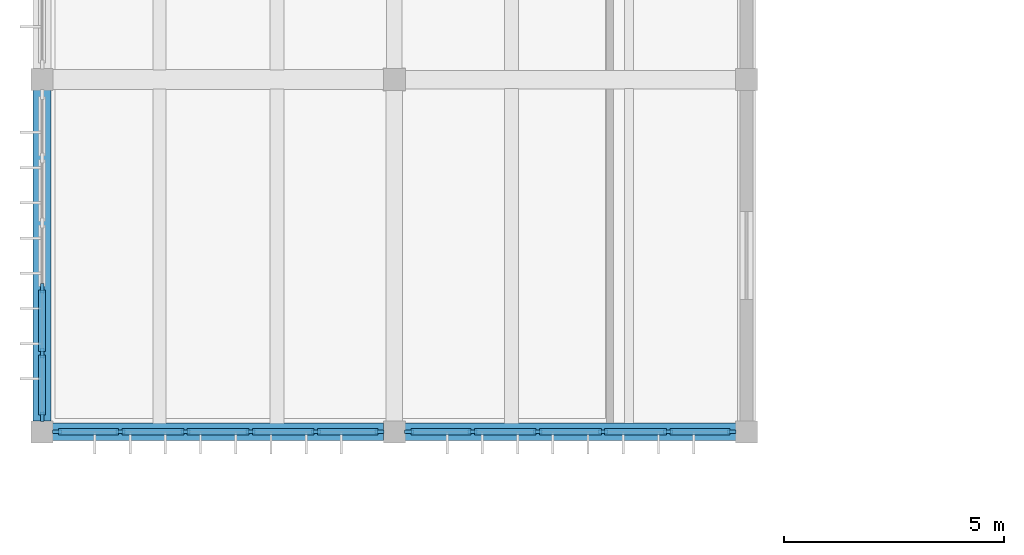
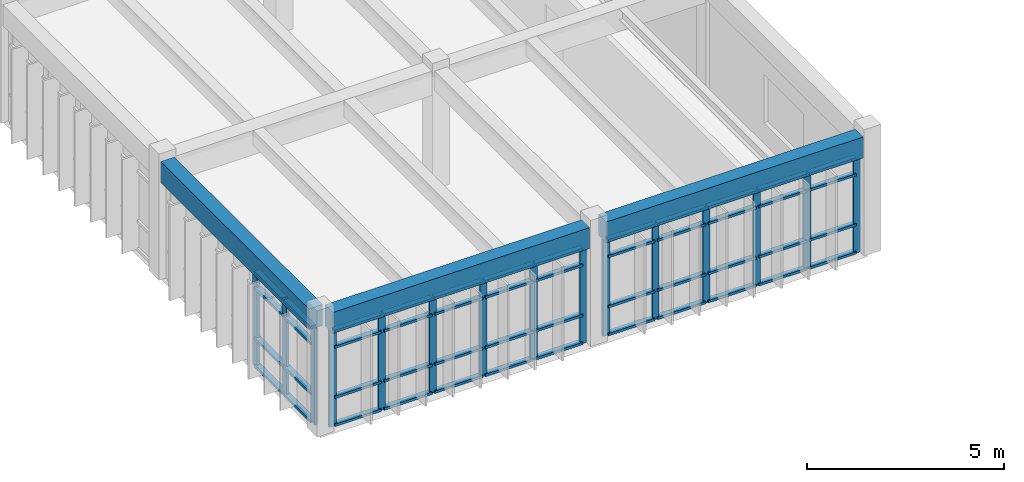
# One storey, part 2 of 22: 63 members, 3 beams, 3 elements without a shape of their own.
"""IFC4 building model written with IfcOpenShell, lengths in metres."""

from ifc_helpers import new_model, si_unit, direction, frame, origin, origin_2d, place, context, subcontext, project, spatial, rectangle, extrude, material, material_profile, profile_set, type_object, element, aggregate, save


model = new_model("IFC4")

# Units and contexts
model_context = context("Model", 3, precision=1e-05, world=origin(), true_north=direction((0.0, 1.0)))
body_context = subcontext(model_context, "Body", "Model", "MODEL_VIEW")
ifc_project = project(units=[si_unit("LENGTHUNIT", "METRE"), si_unit("AREAUNIT", "SQUARE_METRE"), si_unit("VOLUMEUNIT", "CUBIC_METRE"), si_unit("PLANEANGLEUNIT", "RADIAN"), si_unit("MASSUNIT", "GRAM", prefix="KILO")], contexts=[model_context])

# Site, building, storey
site_placement = place(None, origin())
site = spatial("IfcSite", under=ifc_project, at=site_placement, CompositionType="ELEMENT")
building_placement = place(site_placement, origin())
building = spatial("IfcBuilding", under=site, at=building_placement, Name="Tlaxcora Railside Police Headquarters", CompositionType="ELEMENT")
storey_placement = place(building_placement, frame((0.0, 0.0, 21.89990234375)))
storey = spatial("IfcBuildingStorey", under=building, at=storey_placement, Name="L05", CompositionType="ELEMENT", Elevation=21.89990234375)

# Curtain wall, members
ifc_material_1 = material(Name="Thermally broken low-E insulated glazing", Category="glass")
curtain_wall_type_1 = type_object("IfcCurtainWallType", Name="Unitised Curtain Wall Assembly CW-23", PredefinedType="NOTDEFINED", material=ifc_material_1)
curtain_wall_1_placement = place(storey_placement, origin())
curtain_wall_1 = element("IfcCurtainWall", 1, at=curtain_wall_1_placement, inside=storey, type_object=curtain_wall_type_1, Name="V5 L05 curtain wall 120", PredefinedType="NOTDEFINED")
ifc_material_2 = material(Name="Anodised aluminium framing", Category="aluminium")
ifc_material_profile_1 = material_profile(ifc_material_2, rectangle(XDim=0.080078125, YDim=0.219970703125, at=origin_2d()), Name="AL80X220")
ifc_profile_set_1 = profile_set([ifc_material_profile_1], Name="Anodised aluminium framing")
member_type_1 = type_object("IfcMemberType", Name="Curtain Wall Mullion CW-31", PredefinedType="MULLION", material=ifc_profile_set_1)
member_1_placement = place(storey_placement, frame((5.199951171875, 64.06005859375, 0.0), z_axis=(0.0, 0.0, 1.0), x_axis=(1.0, 0.0, 0.0)))
member_1 = element("IfcMember", 2, at=member_1_placement, type_object=member_type_1, Name="CW mullion 4", PredefinedType="MULLION", context=body_context, shape_type="SweptSolid", body=[
    extrude(rectangle(XDim=0.080078125, YDim=0.219970703125, at=origin_2d()), origin(), (0.0, 0.0, 1.0), 2.97998046875),
])
member_2_placement = place(storey_placement, frame((5.199951171875, 62.580078125, 0.0), z_axis=(0.0, 0.0, 1.0), x_axis=(1.0, 0.0, 0.0)))
member_2 = element("IfcMember", 3, at=member_2_placement, type_object=member_type_1, Name="CW mullion 5", PredefinedType="MULLION", context=body_context, shape_type="SweptSolid", body=[
    extrude(rectangle(XDim=0.080078125, YDim=0.219970703125, at=origin_2d()), origin(), (0.0, 0.0, 1.0), 2.97998046875),
])
member_3_placement = place(storey_placement, frame((5.199951171875, 61.139892578125, 0.0), z_axis=(0.0, 0.0, 1.0), x_axis=(1.0, 0.0, 0.0)))
member_3 = element("IfcMember", 4, at=member_3_placement, type_object=member_type_1, Name="CW mullion 6", PredefinedType="MULLION", context=body_context, shape_type="SweptSolid", body=[
    extrude(rectangle(XDim=0.080078125, YDim=0.219970703125, at=origin_2d()), origin(), (0.0, 0.0, 1.0), 2.97998046875),
])

curtain_wall_type_2 = type_object("IfcCurtainWallType", Name="Unitised Curtain Wall Assembly CW-38", PredefinedType="NOTDEFINED", material=ifc_material_1)
curtain_wall_2_placement = place(storey_placement, origin())
curtain_wall_2 = element("IfcCurtainWall", 5, at=curtain_wall_2_placement, inside=storey, type_object=curtain_wall_type_2, Name="V5 L05 curtain wall 105", PredefinedType="NOTDEFINED")
ifc_material_profile_2 = material_profile(ifc_material_2, rectangle(XDim=0.074951171875, YDim=0.205078125, at=origin_2d()), Name="AL75X205")
ifc_profile_set_2 = profile_set([ifc_material_profile_2], Name="Anodised aluminium framing")
member_type_2 = type_object("IfcMemberType", Name="Curtain Wall Mullion CW-32", PredefinedType="MULLION", material=ifc_profile_set_2)
member_4_placement = place(storey_placement, frame((5.53759765625, 60.800048828125, 0.0), z_axis=(0.0, 0.0, 1.0), x_axis=(0.0, 1.0, 0.0)))
member_4 = element("IfcMember", 6, at=member_4_placement, type_object=member_type_2, Name="CW mullion 1", PredefinedType="MULLION", context=body_context, shape_type="SweptSolid", body=[
    extrude(rectangle(XDim=0.074951171875, YDim=0.205078125, at=origin_2d()), origin(), (0.0, 0.0, 1.0), 2.97998046875),
])
member_5_placement = place(storey_placement, frame((6.97998046875, 60.800048828125, 0.0), z_axis=(0.0, 0.0, 1.0), x_axis=(0.0, 1.0, 0.0)))
member_5 = element("IfcMember", 7, at=member_5_placement, type_object=member_type_2, Name="CW mullion 2", PredefinedType="MULLION", context=body_context, shape_type="SweptSolid", body=[
    extrude(rectangle(XDim=0.074951171875, YDim=0.205078125, at=origin_2d()), origin(), (0.0, 0.0, 1.0), 2.97998046875),
])
member_6_placement = place(storey_placement, frame((8.4599609375, 60.800048828125, 0.0), z_axis=(0.0, 0.0, 1.0), x_axis=(0.0, 1.0, 0.0)))
member_6 = element("IfcMember", 8, at=member_6_placement, type_object=member_type_2, Name="CW mullion 3", PredefinedType="MULLION", context=body_context, shape_type="SweptSolid", body=[
    extrude(rectangle(XDim=0.074951171875, YDim=0.205078125, at=origin_2d()), origin(), (0.0, 0.0, 1.0), 2.97998046875),
])
member_7_placement = place(storey_placement, frame((9.93994140625, 60.800048828125, 0.0), z_axis=(0.0, 0.0, 1.0), x_axis=(0.0, 1.0, 0.0)))
member_7 = element("IfcMember", 9, at=member_7_placement, type_object=member_type_2, Name="CW mullion 4", PredefinedType="MULLION", context=body_context, shape_type="SweptSolid", body=[
    extrude(rectangle(XDim=0.074951171875, YDim=0.205078125, at=origin_2d()), origin(), (0.0, 0.0, 1.0), 2.97998046875),
])
member_8_placement = place(storey_placement, frame((11.419921875, 60.800048828125, 0.0), z_axis=(0.0, 0.0, 1.0), x_axis=(0.0, 1.0, 0.0)))
member_8 = element("IfcMember", 10, at=member_8_placement, type_object=member_type_2, Name="CW mullion 5", PredefinedType="MULLION", context=body_context, shape_type="SweptSolid", body=[
    extrude(rectangle(XDim=0.074951171875, YDim=0.205078125, at=origin_2d()), origin(), (0.0, 0.0, 1.0), 2.97998046875),
])
member_9_placement = place(storey_placement, frame((12.862548828125, 60.800048828125, 0.0), z_axis=(0.0, 0.0, 1.0), x_axis=(0.0, 1.0, 0.0)))
member_9 = element("IfcMember", 11, at=member_9_placement, type_object=member_type_2, Name="CW mullion 6", PredefinedType="MULLION", context=body_context, shape_type="SweptSolid", body=[
    extrude(rectangle(XDim=0.074951171875, YDim=0.205078125, at=origin_2d()), origin(), (0.0, 0.0, 1.0), 2.97998046875),
])

curtain_wall_type_3 = type_object("IfcCurtainWallType", Name="Unitised Curtain Wall Assembly CW-15", PredefinedType="NOTDEFINED", material=ifc_material_1)
curtain_wall_3_placement = place(storey_placement, origin())
curtain_wall_3 = element("IfcCurtainWall", 12, at=curtain_wall_3_placement, inside=storey, type_object=curtain_wall_type_3, Name="V5 L05 curtain wall 106", PredefinedType="NOTDEFINED")
ifc_material_profile_3 = material_profile(ifc_material_2, rectangle(XDim=0.074951171875, YDim=0.199951171875, at=origin_2d()), Name="AL75X200")
ifc_profile_set_3 = profile_set([ifc_material_profile_3], Name="Anodised aluminium framing")
member_type_3 = type_object("IfcMemberType", Name="Curtain Wall Mullion CW-58", PredefinedType="MULLION", material=ifc_profile_set_3)
member_10_placement = place(storey_placement, frame((13.53759765625, 60.800048828125, 0.0), z_axis=(0.0, 0.0, 1.0), x_axis=(0.0, 1.0, 0.0)))
member_10 = element("IfcMember", 13, at=member_10_placement, type_object=member_type_3, Name="CW mullion 1", PredefinedType="MULLION", context=body_context, shape_type="SweptSolid", body=[
    extrude(rectangle(XDim=0.074951171875, YDim=0.199951171875, at=origin_2d()), origin(), (0.0, 0.0, 1.0), 2.97998046875),
])
member_11_placement = place(storey_placement, frame((14.97998046875, 60.800048828125, 0.0), z_axis=(0.0, 0.0, 1.0), x_axis=(0.0, 1.0, 0.0)))
member_11 = element("IfcMember", 14, at=member_11_placement, type_object=member_type_3, Name="CW mullion 2", PredefinedType="MULLION", context=body_context, shape_type="SweptSolid", body=[
    extrude(rectangle(XDim=0.074951171875, YDim=0.199951171875, at=origin_2d()), origin(), (0.0, 0.0, 1.0), 2.97998046875),
])
member_12_placement = place(storey_placement, frame((16.4599609375, 60.800048828125, 0.0), z_axis=(0.0, 0.0, 1.0), x_axis=(0.0, 1.0, 0.0)))
member_12 = element("IfcMember", 15, at=member_12_placement, type_object=member_type_3, Name="CW mullion 3", PredefinedType="MULLION", context=body_context, shape_type="SweptSolid", body=[
    extrude(rectangle(XDim=0.074951171875, YDim=0.199951171875, at=origin_2d()), origin(), (0.0, 0.0, 1.0), 2.97998046875),
])
member_13_placement = place(storey_placement, frame((17.93994140625, 60.800048828125, 0.0), z_axis=(0.0, 0.0, 1.0), x_axis=(0.0, 1.0, 0.0)))
member_13 = element("IfcMember", 16, at=member_13_placement, type_object=member_type_3, Name="CW mullion 4", PredefinedType="MULLION", context=body_context, shape_type="SweptSolid", body=[
    extrude(rectangle(XDim=0.074951171875, YDim=0.199951171875, at=origin_2d()), origin(), (0.0, 0.0, 1.0), 2.97998046875),
])
member_14_placement = place(storey_placement, frame((19.419921875, 60.800048828125, 0.0), z_axis=(0.0, 0.0, 1.0), x_axis=(0.0, 1.0, 0.0)))
member_14 = element("IfcMember", 17, at=member_14_placement, type_object=member_type_3, Name="CW mullion 5", PredefinedType="MULLION", context=body_context, shape_type="SweptSolid", body=[
    extrude(rectangle(XDim=0.074951171875, YDim=0.199951171875, at=origin_2d()), origin(), (0.0, 0.0, 1.0), 2.97998046875),
])
member_15_placement = place(storey_placement, frame((20.862548828125, 60.800048828125, 0.0), z_axis=(0.0, 0.0, 1.0), x_axis=(0.0, 1.0, 0.0)))
member_15 = element("IfcMember", 18, at=member_15_placement, type_object=member_type_3, Name="CW mullion 6", PredefinedType="MULLION", context=body_context, shape_type="SweptSolid", body=[
    extrude(rectangle(XDim=0.074951171875, YDim=0.199951171875, at=origin_2d()), origin(), (0.0, 0.0, 1.0), 2.97998046875),
])
ifc_material_profile_4 = material_profile(ifc_material_2, rectangle(XDim=0.14990234375, YDim=0.074951171875, at=origin_2d()), Name="AL75X150")
ifc_profile_set_4 = profile_set([ifc_material_profile_4], Name="Anodised aluminium framing")
member_type_4 = type_object("IfcMemberType", Name="Curtain Wall Transom CW-28", PredefinedType="USERDEFINED", material=ifc_profile_set_4)
member_16_placement = place(storey_placement, frame((13.574951171875, 60.800048828125, 0.03759765625), z_axis=(1.0, 0.0, 0.0), x_axis=(0.0, 1.0, 0.0)))
member_16 = element("IfcMember", 19, at=member_16_placement, type_object=member_type_4, Name="CW transom 1.1", ObjectType="TRANSOM", PredefinedType="USERDEFINED", context=body_context, shape_type="SweptSolid", body=[
    extrude(rectangle(XDim=0.14990234375, YDim=0.074951171875, at=origin_2d()), origin(), (0.0, 0.0, 1.0), 1.367431640625),
])
member_17_placement = place(storey_placement, frame((13.574951171875, 60.800048828125, 0.900146484375), z_axis=(1.0, 0.0, 0.0), x_axis=(0.0, 1.0, 0.0)))
member_17 = element("IfcMember", 20, at=member_17_placement, type_object=member_type_4, Name="CW transom 1.2", ObjectType="TRANSOM", PredefinedType="USERDEFINED", context=body_context, shape_type="SweptSolid", body=[
    extrude(rectangle(XDim=0.14990234375, YDim=0.074951171875, at=origin_2d()), origin(), (0.0, 0.0, 1.0), 1.367431640625),
])
member_18_placement = place(storey_placement, frame((13.574951171875, 60.800048828125, 2.4501953125), z_axis=(1.0, 0.0, 0.0), x_axis=(0.0, 1.0, 0.0)))
member_18 = element("IfcMember", 21, at=member_18_placement, type_object=member_type_4, Name="CW transom 1.3", ObjectType="TRANSOM", PredefinedType="USERDEFINED", context=body_context, shape_type="SweptSolid", body=[
    extrude(rectangle(XDim=0.14990234375, YDim=0.074951171875, at=origin_2d()), origin(), (0.0, 0.0, 1.0), 1.367431640625),
])
member_19_placement = place(storey_placement, frame((13.574951171875, 60.800048828125, 2.942626953125), z_axis=(1.0, 0.0, 0.0), x_axis=(0.0, 1.0, 0.0)))
member_19 = element("IfcMember", 22, at=member_19_placement, type_object=member_type_4, Name="CW transom 1.4", ObjectType="TRANSOM", PredefinedType="USERDEFINED", context=body_context, shape_type="SweptSolid", body=[
    extrude(rectangle(XDim=0.14990234375, YDim=0.074951171875, at=origin_2d()), origin(), (0.0, 0.0, 1.0), 1.367431640625),
])
member_20_placement = place(storey_placement, frame((15.017578125, 60.800048828125, 0.03759765625), z_axis=(1.0, 0.0, 0.0), x_axis=(0.0, 1.0, 0.0)))
member_20 = element("IfcMember", 23, at=member_20_placement, type_object=member_type_4, Name="CW transom 2.1", ObjectType="TRANSOM", PredefinedType="USERDEFINED", context=body_context, shape_type="SweptSolid", body=[
    extrude(rectangle(XDim=0.14990234375, YDim=0.074951171875, at=origin_2d()), origin(), (0.0, 0.0, 1.0), 1.405029296875),
])
member_21_placement = place(storey_placement, frame((15.017578125, 60.800048828125, 0.900146484375), z_axis=(1.0, 0.0, 0.0), x_axis=(0.0, 1.0, 0.0)))
member_21 = element("IfcMember", 24, at=member_21_placement, type_object=member_type_4, Name="CW transom 2.2", ObjectType="TRANSOM", PredefinedType="USERDEFINED", context=body_context, shape_type="SweptSolid", body=[
    extrude(rectangle(XDim=0.14990234375, YDim=0.074951171875, at=origin_2d()), origin(), (0.0, 0.0, 1.0), 1.405029296875),
])
member_22_placement = place(storey_placement, frame((15.017578125, 60.800048828125, 2.4501953125), z_axis=(1.0, 0.0, 0.0), x_axis=(0.0, 1.0, 0.0)))
member_22 = element("IfcMember", 25, at=member_22_placement, type_object=member_type_4, Name="CW transom 2.3", ObjectType="TRANSOM", PredefinedType="USERDEFINED", context=body_context, shape_type="SweptSolid", body=[
    extrude(rectangle(XDim=0.14990234375, YDim=0.074951171875, at=origin_2d()), origin(), (0.0, 0.0, 1.0), 1.405029296875),
])
member_23_placement = place(storey_placement, frame((15.017578125, 60.800048828125, 2.942626953125), z_axis=(1.0, 0.0, 0.0), x_axis=(0.0, 1.0, 0.0)))
member_23 = element("IfcMember", 26, at=member_23_placement, type_object=member_type_4, Name="CW transom 2.4", ObjectType="TRANSOM", PredefinedType="USERDEFINED", context=body_context, shape_type="SweptSolid", body=[
    extrude(rectangle(XDim=0.14990234375, YDim=0.074951171875, at=origin_2d()), origin(), (0.0, 0.0, 1.0), 1.405029296875),
])
member_24_placement = place(storey_placement, frame((16.49755859375, 60.800048828125, 0.03759765625), z_axis=(1.0, 0.0, 0.0), x_axis=(0.0, 1.0, 0.0)))
member_24 = element("IfcMember", 27, at=member_24_placement, type_object=member_type_4, Name="CW transom 3.1", ObjectType="TRANSOM", PredefinedType="USERDEFINED", context=body_context, shape_type="SweptSolid", body=[
    extrude(rectangle(XDim=0.14990234375, YDim=0.074951171875, at=origin_2d()), origin(), (0.0, 0.0, 1.0), 1.405029296875),
])
member_25_placement = place(storey_placement, frame((16.49755859375, 60.800048828125, 0.900146484375), z_axis=(1.0, 0.0, 0.0), x_axis=(0.0, 1.0, 0.0)))
member_25 = element("IfcMember", 28, at=member_25_placement, type_object=member_type_4, Name="CW transom 3.2", ObjectType="TRANSOM", PredefinedType="USERDEFINED", context=body_context, shape_type="SweptSolid", body=[
    extrude(rectangle(XDim=0.14990234375, YDim=0.074951171875, at=origin_2d()), origin(), (0.0, 0.0, 1.0), 1.405029296875),
])
member_26_placement = place(storey_placement, frame((16.49755859375, 60.800048828125, 2.4501953125), z_axis=(1.0, 0.0, 0.0), x_axis=(0.0, 1.0, 0.0)))
member_26 = element("IfcMember", 29, at=member_26_placement, type_object=member_type_4, Name="CW transom 3.3", ObjectType="TRANSOM", PredefinedType="USERDEFINED", context=body_context, shape_type="SweptSolid", body=[
    extrude(rectangle(XDim=0.14990234375, YDim=0.074951171875, at=origin_2d()), origin(), (0.0, 0.0, 1.0), 1.405029296875),
])
member_27_placement = place(storey_placement, frame((16.49755859375, 60.800048828125, 2.942626953125), z_axis=(1.0, 0.0, 0.0), x_axis=(0.0, 1.0, 0.0)))
member_27 = element("IfcMember", 30, at=member_27_placement, type_object=member_type_4, Name="CW transom 3.4", ObjectType="TRANSOM", PredefinedType="USERDEFINED", context=body_context, shape_type="SweptSolid", body=[
    extrude(rectangle(XDim=0.14990234375, YDim=0.074951171875, at=origin_2d()), origin(), (0.0, 0.0, 1.0), 1.405029296875),
])
member_28_placement = place(storey_placement, frame((17.9775390625, 60.800048828125, 0.03759765625), z_axis=(1.0, 0.0, 0.0), x_axis=(0.0, 1.0, 0.0)))
member_28 = element("IfcMember", 31, at=member_28_placement, type_object=member_type_4, Name="CW transom 4.1", ObjectType="TRANSOM", PredefinedType="USERDEFINED", context=body_context, shape_type="SweptSolid", body=[
    extrude(rectangle(XDim=0.14990234375, YDim=0.074951171875, at=origin_2d()), origin(), (0.0, 0.0, 1.0), 1.405029296875),
])
member_29_placement = place(storey_placement, frame((17.9775390625, 60.800048828125, 0.900146484375), z_axis=(1.0, 0.0, 0.0), x_axis=(0.0, 1.0, 0.0)))
member_29 = element("IfcMember", 32, at=member_29_placement, type_object=member_type_4, Name="CW transom 4.2", ObjectType="TRANSOM", PredefinedType="USERDEFINED", context=body_context, shape_type="SweptSolid", body=[
    extrude(rectangle(XDim=0.14990234375, YDim=0.074951171875, at=origin_2d()), origin(), (0.0, 0.0, 1.0), 1.405029296875),
])
member_30_placement = place(storey_placement, frame((17.9775390625, 60.800048828125, 2.4501953125), z_axis=(1.0, 0.0, 0.0), x_axis=(0.0, 1.0, 0.0)))
member_30 = element("IfcMember", 33, at=member_30_placement, type_object=member_type_4, Name="CW transom 4.3", ObjectType="TRANSOM", PredefinedType="USERDEFINED", context=body_context, shape_type="SweptSolid", body=[
    extrude(rectangle(XDim=0.14990234375, YDim=0.074951171875, at=origin_2d()), origin(), (0.0, 0.0, 1.0), 1.405029296875),
])
member_31_placement = place(storey_placement, frame((17.9775390625, 60.800048828125, 2.942626953125), z_axis=(1.0, 0.0, 0.0), x_axis=(0.0, 1.0, 0.0)))
member_31 = element("IfcMember", 34, at=member_31_placement, type_object=member_type_4, Name="CW transom 4.4", ObjectType="TRANSOM", PredefinedType="USERDEFINED", context=body_context, shape_type="SweptSolid", body=[
    extrude(rectangle(XDim=0.14990234375, YDim=0.074951171875, at=origin_2d()), origin(), (0.0, 0.0, 1.0), 1.405029296875),
])
member_32_placement = place(storey_placement, frame((19.45751953125, 60.800048828125, 0.03759765625), z_axis=(1.0, 0.0, 0.0), x_axis=(0.0, 1.0, 0.0)))
member_32 = element("IfcMember", 35, at=member_32_placement, type_object=member_type_4, Name="CW transom 5.1", ObjectType="TRANSOM", PredefinedType="USERDEFINED", context=body_context, shape_type="SweptSolid", body=[
    extrude(rectangle(XDim=0.14990234375, YDim=0.074951171875, at=origin_2d()), origin(), (0.0, 0.0, 1.0), 1.367431640625),
])
member_33_placement = place(storey_placement, frame((19.45751953125, 60.800048828125, 0.900146484375), z_axis=(1.0, 0.0, 0.0), x_axis=(0.0, 1.0, 0.0)))
member_33 = element("IfcMember", 36, at=member_33_placement, type_object=member_type_4, Name="CW transom 5.2", ObjectType="TRANSOM", PredefinedType="USERDEFINED", context=body_context, shape_type="SweptSolid", body=[
    extrude(rectangle(XDim=0.14990234375, YDim=0.074951171875, at=origin_2d()), origin(), (0.0, 0.0, 1.0), 1.367431640625),
])
member_34_placement = place(storey_placement, frame((19.45751953125, 60.800048828125, 2.4501953125), z_axis=(1.0, 0.0, 0.0), x_axis=(0.0, 1.0, 0.0)))
member_34 = element("IfcMember", 37, at=member_34_placement, type_object=member_type_4, Name="CW transom 5.3", ObjectType="TRANSOM", PredefinedType="USERDEFINED", context=body_context, shape_type="SweptSolid", body=[
    extrude(rectangle(XDim=0.14990234375, YDim=0.074951171875, at=origin_2d()), origin(), (0.0, 0.0, 1.0), 1.367431640625),
])
member_35_placement = place(storey_placement, frame((19.45751953125, 60.800048828125, 2.942626953125), z_axis=(1.0, 0.0, 0.0), x_axis=(0.0, 1.0, 0.0)))
member_35 = element("IfcMember", 38, at=member_35_placement, type_object=member_type_4, Name="CW transom 5.4", ObjectType="TRANSOM", PredefinedType="USERDEFINED", context=body_context, shape_type="SweptSolid", body=[
    extrude(rectangle(XDim=0.14990234375, YDim=0.074951171875, at=origin_2d()), origin(), (0.0, 0.0, 1.0), 1.367431640625),
])
aggregate(curtain_wall_3, [member_10, member_11, member_12, member_13, member_14, member_15, member_16, member_17, member_18, member_19, member_20, member_21, member_22, member_23, member_24, member_25, member_26, member_27, member_28, member_29, member_30, member_31, member_32, member_33, member_34, member_35])

# Member
ifc_material_profile_5 = material_profile(ifc_material_2, rectangle(XDim=0.155029296875, YDim=0.074951171875, at=origin_2d()), Name="AL75X155")
ifc_profile_set_5 = profile_set([ifc_material_profile_5], Name="Anodised aluminium framing")
member_type_5 = type_object("IfcMemberType", Name="Curtain Wall Transom CW-30", PredefinedType="USERDEFINED", material=ifc_profile_set_5)
member_36_placement = place(storey_placement, frame((5.574951171875, 60.800048828125, 0.03759765625), z_axis=(1.0, 0.0, 0.0), x_axis=(0.0, 1.0, 0.0)))
member_36 = element("IfcMember", 39, at=member_36_placement, type_object=member_type_5, Name="CW transom 1.1", ObjectType="TRANSOM", PredefinedType="USERDEFINED", context=body_context, shape_type="SweptSolid", body=[
    extrude(rectangle(XDim=0.155029296875, YDim=0.074951171875, at=origin_2d()), origin(), (0.0, 0.0, 1.0), 1.367431640625),
])

member_37_placement = place(storey_placement, frame((5.574951171875, 60.800048828125, 0.900146484375), z_axis=(1.0, 0.0, 0.0), x_axis=(0.0, 1.0, 0.0)))
member_37 = element("IfcMember", 40, at=member_37_placement, type_object=member_type_5, Name="CW transom 1.2", ObjectType="TRANSOM", PredefinedType="USERDEFINED", context=body_context, shape_type="SweptSolid", body=[
    extrude(rectangle(XDim=0.155029296875, YDim=0.074951171875, at=origin_2d()), origin(), (0.0, 0.0, 1.0), 1.367431640625),
])

member_38_placement = place(storey_placement, frame((5.574951171875, 60.800048828125, 2.4501953125), z_axis=(1.0, 0.0, 0.0), x_axis=(0.0, 1.0, 0.0)))
member_38 = element("IfcMember", 41, at=member_38_placement, type_object=member_type_5, Name="CW transom 1.3", ObjectType="TRANSOM", PredefinedType="USERDEFINED", context=body_context, shape_type="SweptSolid", body=[
    extrude(rectangle(XDim=0.155029296875, YDim=0.074951171875, at=origin_2d()), origin(), (0.0, 0.0, 1.0), 1.367431640625),
])

member_39_placement = place(storey_placement, frame((5.574951171875, 60.800048828125, 2.942626953125), z_axis=(1.0, 0.0, 0.0), x_axis=(0.0, 1.0, 0.0)))
member_39 = element("IfcMember", 42, at=member_39_placement, type_object=member_type_5, Name="CW transom 1.4", ObjectType="TRANSOM", PredefinedType="USERDEFINED", context=body_context, shape_type="SweptSolid", body=[
    extrude(rectangle(XDim=0.155029296875, YDim=0.074951171875, at=origin_2d()), origin(), (0.0, 0.0, 1.0), 1.367431640625),
])

member_40_placement = place(storey_placement, frame((7.017578125, 60.800048828125, 0.03759765625), z_axis=(1.0, 0.0, 0.0), x_axis=(0.0, 1.0, 0.0)))
member_40 = element("IfcMember", 43, at=member_40_placement, type_object=member_type_5, Name="CW transom 2.1", ObjectType="TRANSOM", PredefinedType="USERDEFINED", context=body_context, shape_type="SweptSolid", body=[
    extrude(rectangle(XDim=0.155029296875, YDim=0.074951171875, at=origin_2d()), origin(), (0.0, 0.0, 1.0), 1.405029296875),
])

member_41_placement = place(storey_placement, frame((7.017578125, 60.800048828125, 0.900146484375), z_axis=(1.0, 0.0, 0.0), x_axis=(0.0, 1.0, 0.0)))
member_41 = element("IfcMember", 44, at=member_41_placement, type_object=member_type_5, Name="CW transom 2.2", ObjectType="TRANSOM", PredefinedType="USERDEFINED", context=body_context, shape_type="SweptSolid", body=[
    extrude(rectangle(XDim=0.155029296875, YDim=0.074951171875, at=origin_2d()), origin(), (0.0, 0.0, 1.0), 1.405029296875),
])

member_42_placement = place(storey_placement, frame((7.017578125, 60.800048828125, 2.4501953125), z_axis=(1.0, 0.0, 0.0), x_axis=(0.0, 1.0, 0.0)))
member_42 = element("IfcMember", 45, at=member_42_placement, type_object=member_type_5, Name="CW transom 2.3", ObjectType="TRANSOM", PredefinedType="USERDEFINED", context=body_context, shape_type="SweptSolid", body=[
    extrude(rectangle(XDim=0.155029296875, YDim=0.074951171875, at=origin_2d()), origin(), (0.0, 0.0, 1.0), 1.405029296875),
])

member_43_placement = place(storey_placement, frame((7.017578125, 60.800048828125, 2.942626953125), z_axis=(1.0, 0.0, 0.0), x_axis=(0.0, 1.0, 0.0)))
member_43 = element("IfcMember", 46, at=member_43_placement, type_object=member_type_5, Name="CW transom 2.4", ObjectType="TRANSOM", PredefinedType="USERDEFINED", context=body_context, shape_type="SweptSolid", body=[
    extrude(rectangle(XDim=0.155029296875, YDim=0.074951171875, at=origin_2d()), origin(), (0.0, 0.0, 1.0), 1.405029296875),
])

member_44_placement = place(storey_placement, frame((8.49755859375, 60.800048828125, 0.03759765625), z_axis=(1.0, 0.0, 0.0), x_axis=(0.0, 1.0, 0.0)))
member_44 = element("IfcMember", 47, at=member_44_placement, type_object=member_type_5, Name="CW transom 3.1", ObjectType="TRANSOM", PredefinedType="USERDEFINED", context=body_context, shape_type="SweptSolid", body=[
    extrude(rectangle(XDim=0.155029296875, YDim=0.074951171875, at=origin_2d()), origin(), (0.0, 0.0, 1.0), 1.405029296875),
])

member_45_placement = place(storey_placement, frame((8.49755859375, 60.800048828125, 0.900146484375), z_axis=(1.0, 0.0, 0.0), x_axis=(0.0, 1.0, 0.0)))
member_45 = element("IfcMember", 48, at=member_45_placement, type_object=member_type_5, Name="CW transom 3.2", ObjectType="TRANSOM", PredefinedType="USERDEFINED", context=body_context, shape_type="SweptSolid", body=[
    extrude(rectangle(XDim=0.155029296875, YDim=0.074951171875, at=origin_2d()), origin(), (0.0, 0.0, 1.0), 1.405029296875),
])

member_46_placement = place(storey_placement, frame((8.49755859375, 60.800048828125, 2.4501953125), z_axis=(1.0, 0.0, 0.0), x_axis=(0.0, 1.0, 0.0)))
member_46 = element("IfcMember", 49, at=member_46_placement, type_object=member_type_5, Name="CW transom 3.3", ObjectType="TRANSOM", PredefinedType="USERDEFINED", context=body_context, shape_type="SweptSolid", body=[
    extrude(rectangle(XDim=0.155029296875, YDim=0.074951171875, at=origin_2d()), origin(), (0.0, 0.0, 1.0), 1.405029296875),
])

member_47_placement = place(storey_placement, frame((8.49755859375, 60.800048828125, 2.942626953125), z_axis=(1.0, 0.0, 0.0), x_axis=(0.0, 1.0, 0.0)))
member_47 = element("IfcMember", 50, at=member_47_placement, type_object=member_type_5, Name="CW transom 3.4", ObjectType="TRANSOM", PredefinedType="USERDEFINED", context=body_context, shape_type="SweptSolid", body=[
    extrude(rectangle(XDim=0.155029296875, YDim=0.074951171875, at=origin_2d()), origin(), (0.0, 0.0, 1.0), 1.405029296875),
])

member_48_placement = place(storey_placement, frame((9.9775390625, 60.800048828125, 0.03759765625), z_axis=(1.0, 0.0, 0.0), x_axis=(0.0, 1.0, 0.0)))
member_48 = element("IfcMember", 51, at=member_48_placement, type_object=member_type_5, Name="CW transom 4.1", ObjectType="TRANSOM", PredefinedType="USERDEFINED", context=body_context, shape_type="SweptSolid", body=[
    extrude(rectangle(XDim=0.155029296875, YDim=0.074951171875, at=origin_2d()), origin(), (0.0, 0.0, 1.0), 1.405029296875),
])

member_49_placement = place(storey_placement, frame((9.9775390625, 60.800048828125, 0.900146484375), z_axis=(1.0, 0.0, 0.0), x_axis=(0.0, 1.0, 0.0)))
member_49 = element("IfcMember", 52, at=member_49_placement, type_object=member_type_5, Name="CW transom 4.2", ObjectType="TRANSOM", PredefinedType="USERDEFINED", context=body_context, shape_type="SweptSolid", body=[
    extrude(rectangle(XDim=0.155029296875, YDim=0.074951171875, at=origin_2d()), origin(), (0.0, 0.0, 1.0), 1.405029296875),
])

member_50_placement = place(storey_placement, frame((9.9775390625, 60.800048828125, 2.4501953125), z_axis=(1.0, 0.0, 0.0), x_axis=(0.0, 1.0, 0.0)))
member_50 = element("IfcMember", 53, at=member_50_placement, type_object=member_type_5, Name="CW transom 4.3", ObjectType="TRANSOM", PredefinedType="USERDEFINED", context=body_context, shape_type="SweptSolid", body=[
    extrude(rectangle(XDim=0.155029296875, YDim=0.074951171875, at=origin_2d()), origin(), (0.0, 0.0, 1.0), 1.405029296875),
])

member_51_placement = place(storey_placement, frame((9.9775390625, 60.800048828125, 2.942626953125), z_axis=(1.0, 0.0, 0.0), x_axis=(0.0, 1.0, 0.0)))
member_51 = element("IfcMember", 54, at=member_51_placement, type_object=member_type_5, Name="CW transom 4.4", ObjectType="TRANSOM", PredefinedType="USERDEFINED", context=body_context, shape_type="SweptSolid", body=[
    extrude(rectangle(XDim=0.155029296875, YDim=0.074951171875, at=origin_2d()), origin(), (0.0, 0.0, 1.0), 1.405029296875),
])

member_52_placement = place(storey_placement, frame((11.45751953125, 60.800048828125, 0.03759765625), z_axis=(1.0, 0.0, 0.0), x_axis=(0.0, 1.0, 0.0)))
member_52 = element("IfcMember", 55, at=member_52_placement, type_object=member_type_5, Name="CW transom 5.1", ObjectType="TRANSOM", PredefinedType="USERDEFINED", context=body_context, shape_type="SweptSolid", body=[
    extrude(rectangle(XDim=0.155029296875, YDim=0.074951171875, at=origin_2d()), origin(), (0.0, 0.0, 1.0), 1.367431640625),
])

member_53_placement = place(storey_placement, frame((11.45751953125, 60.800048828125, 0.900146484375), z_axis=(1.0, 0.0, 0.0), x_axis=(0.0, 1.0, 0.0)))
member_53 = element("IfcMember", 56, at=member_53_placement, type_object=member_type_5, Name="CW transom 5.2", ObjectType="TRANSOM", PredefinedType="USERDEFINED", context=body_context, shape_type="SweptSolid", body=[
    extrude(rectangle(XDim=0.155029296875, YDim=0.074951171875, at=origin_2d()), origin(), (0.0, 0.0, 1.0), 1.367431640625),
])

member_54_placement = place(storey_placement, frame((11.45751953125, 60.800048828125, 2.4501953125), z_axis=(1.0, 0.0, 0.0), x_axis=(0.0, 1.0, 0.0)))
member_54 = element("IfcMember", 57, at=member_54_placement, type_object=member_type_5, Name="CW transom 5.3", ObjectType="TRANSOM", PredefinedType="USERDEFINED", context=body_context, shape_type="SweptSolid", body=[
    extrude(rectangle(XDim=0.155029296875, YDim=0.074951171875, at=origin_2d()), origin(), (0.0, 0.0, 1.0), 1.367431640625),
])

member_55_placement = place(storey_placement, frame((11.45751953125, 60.800048828125, 2.942626953125), z_axis=(1.0, 0.0, 0.0), x_axis=(0.0, 1.0, 0.0)))
member_55 = element("IfcMember", 58, at=member_55_placement, type_object=member_type_5, Name="CW transom 5.4", ObjectType="TRANSOM", PredefinedType="USERDEFINED", context=body_context, shape_type="SweptSolid", body=[
    extrude(rectangle(XDim=0.155029296875, YDim=0.074951171875, at=origin_2d()), origin(), (0.0, 0.0, 1.0), 1.367431640625),
])

aggregate(curtain_wall_2, [member_4, member_5, member_6, member_7, member_8, member_9, member_36, member_37, member_38, member_39, member_40, member_41, member_42, member_43, member_44, member_45, member_46, member_47, member_48, member_49, member_50, member_51, member_52, member_53, member_54, member_55])

ifc_material_profile_6 = material_profile(ifc_material_2, rectangle(XDim=0.1650390625, YDim=0.080078125, at=origin_2d()), Name="AL80X165")
ifc_profile_set_6 = profile_set([ifc_material_profile_6], Name="Anodised aluminium framing")
member_type_6 = type_object("IfcMemberType", Name="Curtain Wall Transom CW-62", PredefinedType="USERDEFINED", material=ifc_profile_set_6)
member_56_placement = place(storey_placement, frame((5.199951171875, 64.02001953125, 0.0400390625), z_axis=(0.0, -1.0, 0.0), x_axis=(1.0, 0.0, 0.0)))
member_56 = element("IfcMember", 59, at=member_56_placement, type_object=member_type_6, Name="CW transom 4.1", ObjectType="TRANSOM", PredefinedType="USERDEFINED", context=body_context, shape_type="SweptSolid", body=[
    extrude(rectangle(XDim=0.1650390625, YDim=0.080078125, at=origin_2d()), origin(), (0.0, 0.0, 1.0), 1.39990234375),
])

member_57_placement = place(storey_placement, frame((5.199951171875, 64.02001953125, 0.900146484375), z_axis=(0.0, -1.0, 0.0), x_axis=(1.0, 0.0, 0.0)))
member_57 = element("IfcMember", 60, at=member_57_placement, type_object=member_type_6, Name="CW transom 4.2", ObjectType="TRANSOM", PredefinedType="USERDEFINED", context=body_context, shape_type="SweptSolid", body=[
    extrude(rectangle(XDim=0.1650390625, YDim=0.080078125, at=origin_2d()), origin(), (0.0, 0.0, 1.0), 1.39990234375),
])

member_58_placement = place(storey_placement, frame((5.199951171875, 64.02001953125, 2.4501953125), z_axis=(0.0, -1.0, 0.0), x_axis=(1.0, 0.0, 0.0)))
member_58 = element("IfcMember", 61, at=member_58_placement, type_object=member_type_6, Name="CW transom 4.3", ObjectType="TRANSOM", PredefinedType="USERDEFINED", context=body_context, shape_type="SweptSolid", body=[
    extrude(rectangle(XDim=0.1650390625, YDim=0.080078125, at=origin_2d()), origin(), (0.0, 0.0, 1.0), 1.39990234375),
])

member_59_placement = place(storey_placement, frame((5.199951171875, 64.02001953125, 2.940185546875), z_axis=(0.0, -1.0, 0.0), x_axis=(1.0, 0.0, 0.0)))
member_59 = element("IfcMember", 62, at=member_59_placement, type_object=member_type_6, Name="CW transom 4.4", ObjectType="TRANSOM", PredefinedType="USERDEFINED", context=body_context, shape_type="SweptSolid", body=[
    extrude(rectangle(XDim=0.1650390625, YDim=0.080078125, at=origin_2d()), origin(), (0.0, 0.0, 1.0), 1.39990234375),
])

member_60_placement = place(storey_placement, frame((5.199951171875, 62.5400390625, 0.0400390625), z_axis=(0.0, -1.0, 0.0), x_axis=(1.0, 0.0, 0.0)))
member_60 = element("IfcMember", 63, at=member_60_placement, type_object=member_type_6, Name="CW transom 5.1", ObjectType="TRANSOM", PredefinedType="USERDEFINED", context=body_context, shape_type="SweptSolid", body=[
    extrude(rectangle(XDim=0.1650390625, YDim=0.080078125, at=origin_2d()), origin(), (0.0, 0.0, 1.0), 1.360107421875),
])

member_61_placement = place(storey_placement, frame((5.199951171875, 62.5400390625, 0.900146484375), z_axis=(0.0, -1.0, 0.0), x_axis=(1.0, 0.0, 0.0)))
member_61 = element("IfcMember", 64, at=member_61_placement, type_object=member_type_6, Name="CW transom 5.2", ObjectType="TRANSOM", PredefinedType="USERDEFINED", context=body_context, shape_type="SweptSolid", body=[
    extrude(rectangle(XDim=0.1650390625, YDim=0.080078125, at=origin_2d()), origin(), (0.0, 0.0, 1.0), 1.360107421875),
])

member_62_placement = place(storey_placement, frame((5.199951171875, 62.5400390625, 2.4501953125), z_axis=(0.0, -1.0, 0.0), x_axis=(1.0, 0.0, 0.0)))
member_62 = element("IfcMember", 65, at=member_62_placement, type_object=member_type_6, Name="CW transom 5.3", ObjectType="TRANSOM", PredefinedType="USERDEFINED", context=body_context, shape_type="SweptSolid", body=[
    extrude(rectangle(XDim=0.1650390625, YDim=0.080078125, at=origin_2d()), origin(), (0.0, 0.0, 1.0), 1.360107421875),
])

member_63_placement = place(storey_placement, frame((5.199951171875, 62.5400390625, 2.940185546875), z_axis=(0.0, -1.0, 0.0), x_axis=(1.0, 0.0, 0.0)))
member_63 = element("IfcMember", 66, at=member_63_placement, type_object=member_type_6, Name="CW transom 5.4", ObjectType="TRANSOM", PredefinedType="USERDEFINED", context=body_context, shape_type="SweptSolid", body=[
    extrude(rectangle(XDim=0.1650390625, YDim=0.080078125, at=origin_2d()), origin(), (0.0, 0.0, 1.0), 1.360107421875),
])

aggregate(curtain_wall_1, [member_1, member_2, member_3, member_56, member_57, member_58, member_59, member_60, member_61, member_62, member_63])

# Beams
ifc_material_3 = material(Name="Concrete C40/50", Category="concrete")
ifc_material_profile_7 = material_profile(ifc_material_3, rectangle(XDim=0.39990234375, YDim=0.64990234375, at=origin_2d()), Name="RC400X650")
ifc_profile_set_7 = profile_set([ifc_material_profile_7], Name="Concrete C40/50")
beam_type = type_object("IfcBeamType", Name="Perimeter Spandrel Beam BM-46", PredefinedType="SPANDREL", material=ifc_profile_set_7)
for number, where, z_axis, x_axis, name in (
    (67, (5.43994140625, 60.800048828125, 3.3251953125), (1.0, 0.0, 0.0), (0.0, 1.0, 0.0), "V5 L05 X-girder Y=60.8"),
    (68, (13.43994140625, 60.800048828125, 3.3251953125), (1.0, 0.0, 0.0), (0.0, 1.0, 0.0), "V5 L05 X-girder Y=60.8"),
    (69, (5.199951171875, 61.0400390625, 3.3251953125), (0.0, 1.0, 0.0), (-1.0, 0.0, 0.0), "V5 L05 Y-girder X=5.2"),
):
    element("IfcBeam", number, at=place(storey_placement, frame(where, z_axis=z_axis, x_axis=x_axis)), inside=storey, type_object=beam_type, Name=name, PredefinedType="SPANDREL", context=body_context, shape_type="SweptSolid", body=[
        extrude(rectangle(XDim=0.39990234375, YDim=0.64990234375, at=origin_2d()), origin(), (0.0, 0.0, 1.0), 7.52001953125),
    ])

save(model, "model.ifc")
